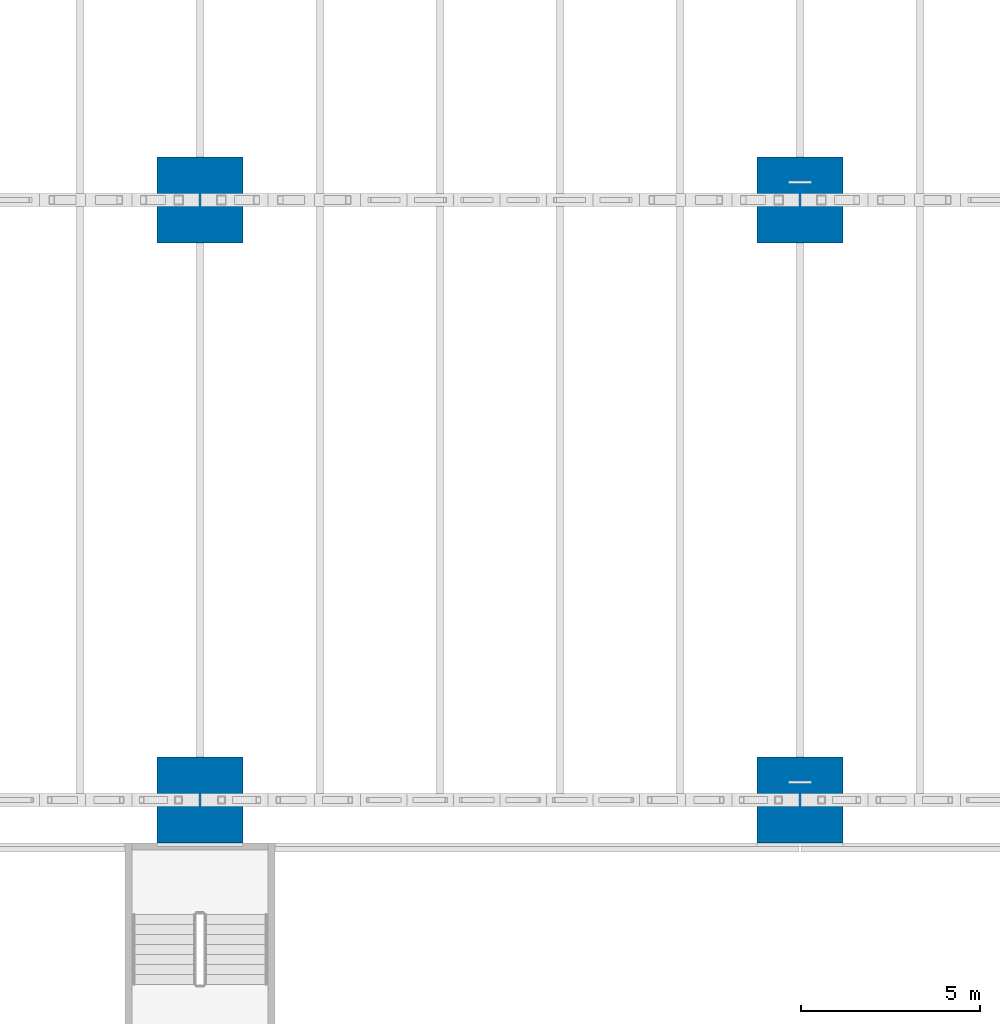
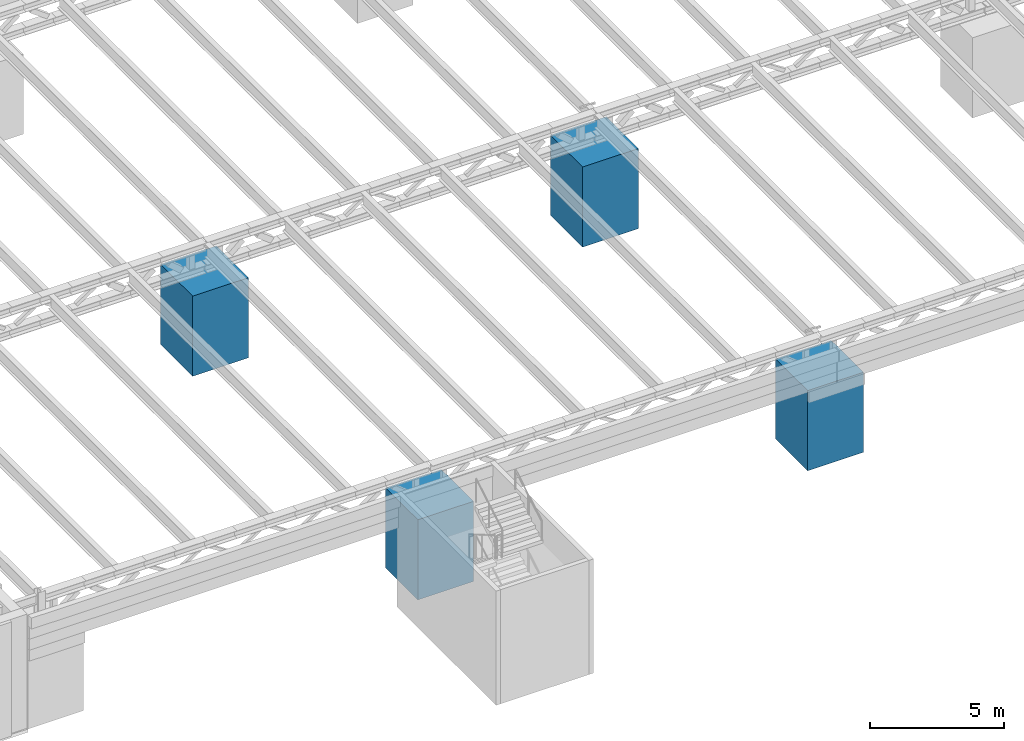
# One storey, part 2 of 93: 4 columns.
"""IFC4 building model written with IfcOpenShell, lengths in metres."""

from ifc_helpers import new_model, si_unit, direction, frame, origin, origin_2d, place, context, subcontext, project, spatial, rectangle, extrude, material, material_profile, profile_set, type_object, element, save


model = new_model("IFC4")

# Units and contexts
model_context = context("Model", 3, precision=1e-05, world=origin(), true_north=direction((0.0, 1.0)))
body_context = subcontext(model_context, "Body", "Model", "MODEL_VIEW")
ifc_project = project(units=[si_unit("LENGTHUNIT", "METRE"), si_unit("AREAUNIT", "SQUARE_METRE"), si_unit("VOLUMEUNIT", "CUBIC_METRE"), si_unit("PLANEANGLEUNIT", "RADIAN"), si_unit("MASSUNIT", "GRAM", prefix="KILO")], contexts=[model_context])

# Site, building, storey
site_placement = place(None, origin())
site = spatial("IfcSite", under=ifc_project, at=site_placement, CompositionType="ELEMENT")
building_placement = place(site_placement, origin())
building = spatial("IfcBuilding", under=site, at=building_placement, Name="Verrick Yard Athletic Hall", CompositionType="ELEMENT")
storey_placement = place(building_placement, frame((0.0, 0.0, 8.800048828125)))
storey = spatial("IfcBuildingStorey", under=building, at=storey_placement, Name="L02", CompositionType="ELEMENT", Elevation=8.800048828125)

# Columns
ifc_material = material(Name="Concrete 35 MPa", Category="concrete")
ifc_material_profile = material_profile(ifc_material, rectangle(XDim=2.39990234375, YDim=2.39990234375, at=origin_2d()), Name="STR Buttress pier PR1")
ifc_profile_set = profile_set([ifc_material_profile], Name="Concrete 35 MPa")
column_type = type_object("IfcColumnType", Name="STR Buttress pier PR1", PredefinedType="COLUMN", material=ifc_profile_set)
for number, where, z_axis, x_axis, name in (
    (1, (56.800048828125, 19.199951171875, 0.0), (0.0, 0.0, 1.0), (1.0, 0.0, 0.0), "Buttress pier P2A"),
    (2, (73.60009765625, 19.199951171875, 0.0), (0.0, 0.0, 1.0), (1.0, 0.0, 0.0), "Buttress pier P3A"),
    (3, (56.800048828125, 36.0, 0.0), (0.0, 0.0, 1.0), (1.0, 0.0, 0.0), "Buttress pier P2B"),
    (4, (73.60009765625, 36.0, 0.0), (0.0, 0.0, 1.0), (1.0, 0.0, 0.0), "Buttress pier P3B"),
):
    element("IfcColumn", number, at=place(storey_placement, frame(where, z_axis=z_axis, x_axis=x_axis)), inside=storey, type_object=column_type, Name=name, PredefinedType="COLUMN", context=body_context, shape_type="SweptSolid", body=[
        extrude(rectangle(XDim=2.39990234375, YDim=2.39990234375, at=origin_2d()), origin(), (0.0, 0.0, 1.0), 3.64990234375),
    ])

save(model, "model.ifc")
